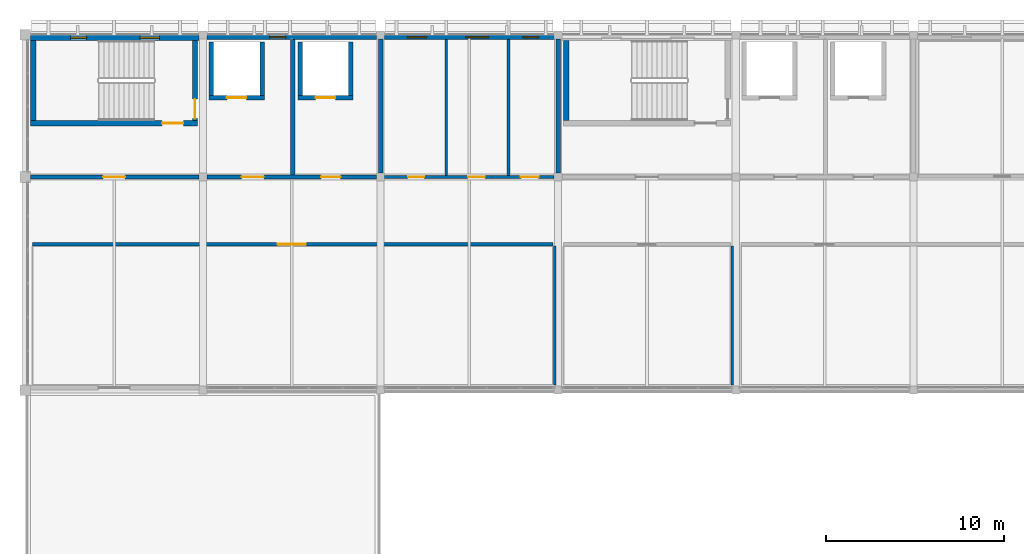
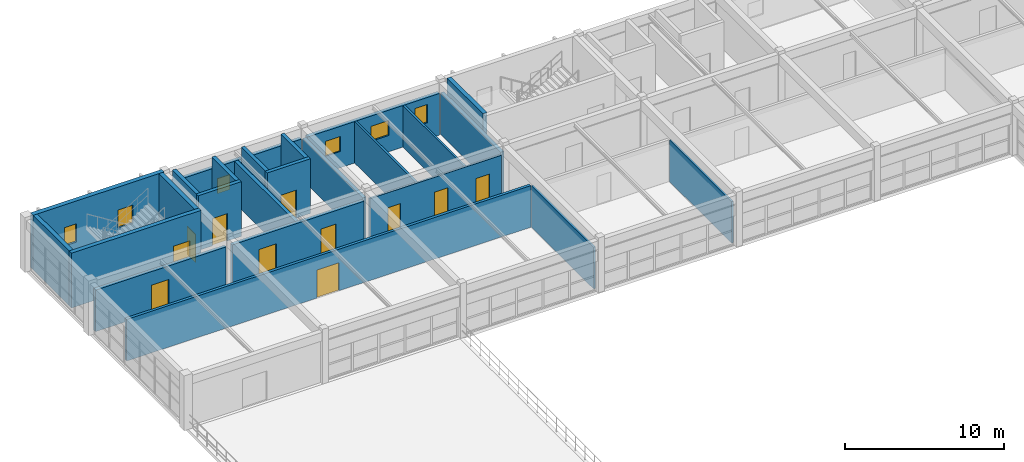
# One storey, part 15 of 21: 24 walls, 11 doors, 6 windows, 17 openings.
"""IFC4 building model written with IfcOpenShell, lengths in metres."""

from ifc_helpers import new_model, si_unit, direction, frame, frame_2d, origin, place, context, subcontext, project, spatial, rectangle, extrude, material, layer, layer_set, type_object, element, fill, save


model = new_model("IFC4")

# Units and contexts
model_context = context("Model", 3, precision=1e-05, world=origin(), true_north=direction((0.0, 1.0)))
body_context = subcontext(model_context, "Body", "Model", "MODEL_VIEW")
ifc_project = project(units=[si_unit("LENGTHUNIT", "METRE"), si_unit("AREAUNIT", "SQUARE_METRE"), si_unit("VOLUMEUNIT", "CUBIC_METRE"), si_unit("PLANEANGLEUNIT", "RADIAN"), si_unit("MASSUNIT", "GRAM", prefix="KILO")], contexts=[model_context])

# Site, building, storey
site_placement = place(None, origin())
site = spatial("IfcSite", under=ifc_project, at=site_placement, CompositionType="ELEMENT")
building_placement = place(site_placement, origin())
building = spatial("IfcBuilding", under=site, at=building_placement, Name="Kivolera Central Railway Station", CompositionType="ELEMENT")
storey_placement = place(building_placement, frame((0.0, 0.0, 22.800048828125)))
storey = spatial("IfcBuildingStorey", under=building, at=storey_placement, Name="L05", CompositionType="ELEMENT", Elevation=22.800048828125)

# Wall, opening, door
ifc_material_1 = material(Name="Swahili coral limestone", Category="masonry")
ifc_layer_1 = layer(ifc_material_1, 0.199951171875, Name="Swahili coral limestone")
ifc_layer_set_1 = layer_set([ifc_layer_1], Name="Swahili coral limestone")
wall_type_1 = type_object("IfcWallType", Name="WL-COR-200", PredefinedType="PARTITIONING", material=ifc_layer_set_1)
wall_1_placement = place(storey_placement, frame((118.39990234375, 122.219970703125, 0.0), z_axis=(0.0, 0.0, 1.0), x_axis=(1.0, 0.0, 0.0)))
wall_1 = element("IfcWall", 1, at=wall_1_placement, inside=storey, type_object=wall_type_1, Name="L05 Station Staff Canteen and Mess Cafe Corridor Wall", PredefinedType="PARTITIONING", context=body_context, shape_type="SweptSolid", body=[
    extrude(rectangle(XDim=29.300048828125, YDim=0.199951171875, at=frame_2d((14.64990234375, 0.0))), origin(), (0.0, 0.0, 1.0), 3.18798828125),
])
opening_1_placement = place(wall_1_placement, frame((13.800048828125, 0.0, 0.0)))
opening_1 = element("IfcOpeningElement", 2, at=opening_1_placement, cuts=wall_1, Name="Opening D-DB-02", PredefinedType="OPENING", context=body_context, shape_type="SweptSolid", body=[
    extrude(rectangle(XDim=1.60009765625, YDim=2.14990234375, at=frame_2d((0.800048828125, 1.074951171875))), frame((0.0, 0.10986328125, 0.0), z_axis=(0.0, -1.0, 0.0), x_axis=(1.0, 0.0, 0.0)), (0.0, 0.0, 1.0), 0.219970703125),
])
ifc_material_2 = material(Name="Anodised aluminium", Category="aluminium")
door_type_1 = type_object("IfcDoorType", Name="DR-D-DB-02", OperationType="NOTDEFINED", PredefinedType="DOOR", material=ifc_material_2)
door_1_placement = place(opening_1_placement, origin())
door_1 = element("IfcDoor", 3, at=door_1_placement, inside=storey, type_object=door_type_1, Name="L05 Station Staff Canteen and Mess Cafe Door", OperationType="DOUBLE_DOOR_SINGLE_SWING", OverallHeight=2.14990234375, OverallWidth=1.60009765625, PredefinedType="DOOR", context=body_context, shape_type="SweptSolid", body=[
    extrude(rectangle(XDim=1.60009765625, YDim=2.14990234375, at=frame_2d((0.800048828125, 1.074951171875))), frame((0.0, 0.02490234375, 0.0), z_axis=(0.0, -1.0, 0.0), x_axis=(1.0, 0.0, 0.0)), (0.0, 0.0, 1.0), 0.050048828125),
])
fill(opening_1, door_1)

ifc_material_3 = material(Name="Concrete C40/50", Category="concrete")
ifc_layer_2 = layer(ifc_material_3, 0.300048828125, Name="Concrete C40/50")
ifc_layer_set_2 = layer_set([ifc_layer_2], Name="Concrete C40/50")
wall_type_2 = type_object("IfcWallType", Name="WL-CORE-300", PredefinedType="SHEAR", material=ifc_layer_set_2)
wall_2_placement = place(storey_placement, frame((127.699951171875, 129.030029296875, 0.0), z_axis=(0.0, 0.0, 1.0), x_axis=(-1.0, 0.0, 0.0)))
wall_2 = element("IfcWall", 4, at=wall_2_placement, inside=storey, type_object=wall_type_2, Name="L05 ST1 Core Right Shear Wall", PredefinedType="SHEAR", context=body_context, shape_type="SweptSolid", body=[
    extrude(rectangle(XDim=9.39990234375, YDim=0.300048828125, at=frame_2d((4.699951171875, 0.0))), origin(), (0.0, 0.0, 1.0), 4.199951171875),
])
opening_2_placement = place(wall_2_placement, frame((0.800048828125, 0.0, 0.0)))
opening_2 = element("IfcOpeningElement", 5, at=opening_2_placement, cuts=wall_2, Name="Opening D-STAIR-1200", PredefinedType="OPENING", context=body_context, shape_type="SweptSolid", body=[
    extrude(rectangle(XDim=1.199951171875, YDim=2.14990234375, at=frame_2d((0.60009765625, 1.074951171875))), frame((0.0, 0.159912109375, 0.0), z_axis=(0.0, -1.0, 0.0), x_axis=(1.0, 0.0, 0.0)), (0.0, 0.0, 1.0), 0.320068359375),
])
ifc_material_4 = material(Name="Hardwood mvule timber", Category="wood")
door_type_2 = type_object("IfcDoorType", Name="DR-D-STAIR-1200", OperationType="NOTDEFINED", PredefinedType="DOOR", material=ifc_material_4)
door_2_placement = place(opening_2_placement, origin())
door_2 = element("IfcDoor", 6, at=door_2_placement, inside=storey, type_object=door_type_2, Name="L05 ST1 Vestibule Fire Door", OperationType="SINGLE_SWING_LEFT", OverallHeight=2.14990234375, OverallWidth=1.199951171875, PredefinedType="DOOR", context=body_context, shape_type="SweptSolid", body=[
    extrude(rectangle(XDim=1.199951171875, YDim=2.14990234375, at=frame_2d((0.60009765625, 1.074951171875))), frame((0.0, 0.02490234375, 0.0), z_axis=(0.0, -1.0, 0.0), x_axis=(1.0, 0.0, 0.0)), (0.0, 0.0, 1.0), 0.050048828125),
])
fill(opening_2, door_2)

wall_3_placement = place(storey_placement, frame((127.550048828125, 133.679931640625, 0.0), z_axis=(0.0, 0.0, 1.0), x_axis=(0.0, -1.0, 0.0)))
wall_3 = element("IfcWall", 7, at=wall_3_placement, inside=storey, type_object=wall_type_2, Name="L05 ST1 Core Near Shear Wall", PredefinedType="SHEAR", context=body_context, shape_type="SweptSolid", body=[
    extrude(rectangle(XDim=4.5, YDim=0.300048828125, at=frame_2d((2.25, 0.0))), origin(), (0.0, 0.0, 1.0), 4.199951171875),
])
opening_3_placement = place(wall_3_placement, frame((3.300048828125, 0.0, 0.0)))
opening_3 = element("IfcOpeningElement", 8, at=opening_3_placement, cuts=wall_3, Name="Opening D-FFL-1100", PredefinedType="OPENING", context=body_context, shape_type="SweptSolid", body=[
    extrude(rectangle(XDim=1.10009765625, YDim=2.14990234375, at=frame_2d((0.550048828125, 1.074951171875))), frame((0.0, 0.159912109375, 0.0), z_axis=(0.0, -1.0, 0.0), x_axis=(1.0, 0.0, 0.0)), (0.0, 0.0, 1.0), 0.320068359375),
])
door_type_3 = type_object("IfcDoorType", Name="DR-D-FFL-1100", OperationType="NOTDEFINED", PredefinedType="DOOR", material=ifc_material_4)
door_3_placement = place(opening_3_placement, origin())
door_3 = element("IfcDoor", 9, at=door_3_placement, inside=storey, type_object=door_type_3, Name="L05 Firefighting Lobby to ST1 Fire Door", OperationType="SINGLE_SWING_RIGHT", OverallHeight=2.14990234375, OverallWidth=1.10009765625, PredefinedType="DOOR", context=body_context, shape_type="SweptSolid", body=[
    extrude(rectangle(XDim=1.10009765625, YDim=2.14990234375, at=frame_2d((0.550048828125, 1.074951171875))), frame((0.0, 0.02490234375, 0.0), z_axis=(0.0, -1.0, 0.0), x_axis=(1.0, 0.0, 0.0)), (0.0, 0.0, 1.0), 0.050048828125),
])
fill(opening_3, door_3)

# Walls
for number, where, z_axis, x_axis, name in (
    (10, (118.449951171875, 129.179931640625, 0.0), (0.0, 0.0, 1.0), (0.0, 1.0, 0.0), "L05 ST1 Core Far Shear Wall"),
    (11, (148.449951171875, 129.179931640625, 0.0), (0.0, 0.0, 1.0), (0.0, 1.0, 0.0), "L05 ST2 Core Far Shear Wall"),
):
    element("IfcWall", number, at=place(storey_placement, frame(where, z_axis=z_axis, x_axis=x_axis)), inside=storey, type_object=wall_type_2, Name=name, PredefinedType="SHEAR", context=body_context, shape_type="SweptSolid", body=[
        extrude(rectangle(XDim=4.5, YDim=0.300048828125, at=frame_2d((2.25, 0.0))), origin(), (0.0, 0.0, 1.0), 4.199951171875),
    ])

# Wall, openings, windows
ifc_layer_3 = layer(ifc_material_3, 0.320068359375, Name="Concrete C40/50")
ifc_layer_set_3 = layer_set([ifc_layer_3], Name="Concrete C40/50")
wall_type_3 = type_object("IfcWallType", Name="WL-CORE-EXT-320", PredefinedType="SHEAR", material=ifc_layer_set_3)
wall_4_placement = place(storey_placement, frame((118.294921875, 133.840087890625, 0.0), z_axis=(0.0, 0.0, 1.0), x_axis=(1.0, 0.0, 0.0)))
wall_4 = element("IfcWall", 12, at=wall_4_placement, inside=storey, type_object=wall_type_3, Name="L05 North Street Facade Wall Bay 1", PredefinedType="SHEAR", context=body_context, shape_type="SweptSolid", body=[
    extrude(rectangle(XDim=9.485107421875, YDim=0.320068359375, at=frame_2d((4.74267578125, 0.0))), origin(), (0.0, 0.0, 1.0), 4.199951171875),
])
opening_4_placement = place(wall_4_placement, frame((2.2548828125, 0.0, 1.050048828125)))
opening_4 = element("IfcOpeningElement", 13, at=opening_4_placement, cuts=wall_4, Name="Opening WN-13", PredefinedType="OPENING", context=body_context, shape_type="SweptSolid", body=[
    extrude(rectangle(XDim=0.89990234375, YDim=1.39990234375, at=frame_2d((0.449951171875, 0.699951171875))), frame((0.0, 0.169921875, 0.0), z_axis=(0.0, -1.0, 0.0), x_axis=(1.0, 0.0, 0.0)), (0.0, 0.0, 1.0), 0.340087890625),
])
opening_5_placement = place(wall_4_placement, frame((6.155029296875, 0.0, 1.050048828125)))
opening_5 = element("IfcOpeningElement", 14, at=opening_5_placement, cuts=wall_4, Name="Opening WN-14", PredefinedType="OPENING", context=body_context, shape_type="SweptSolid", body=[
    extrude(rectangle(XDim=1.10009765625, YDim=1.39990234375, at=frame_2d((0.550048828125, 0.699951171875))), frame((0.0, 0.169921875, 0.0), z_axis=(0.0, -1.0, 0.0), x_axis=(1.0, 0.0, 0.0)), (0.0, 0.0, 1.0), 0.340087890625),
])
ifc_material_5 = material(Name="Double low-E laminated glass", Category="glass")
window_type_1 = type_object("IfcWindowType", Name="WIN-WN-13", PartitioningType="SINGLE_PANEL", PredefinedType="WINDOW", material=ifc_material_5)
window_1_placement = place(opening_4_placement, origin())
window_1 = element("IfcWindow", 15, at=window_1_placement, inside=storey, type_object=window_type_1, Name="L05 North Street Window Bay 1.1", OverallHeight=1.39990234375, OverallWidth=0.89990234375, PartitioningType="SINGLE_PANEL", PredefinedType="WINDOW", context=body_context, shape_type="SweptSolid", body=[
    extrude(rectangle(XDim=0.89990234375, YDim=1.39990234375, at=frame_2d((0.449951171875, 0.699951171875))), frame((0.0, 0.030029296875, 0.0), z_axis=(0.0, -1.0, 0.0), x_axis=(1.0, 0.0, 0.0)), (0.0, 0.0, 1.0), 0.06005859375),
])
fill(opening_4, window_1)
window_type_2 = type_object("IfcWindowType", Name="WIN-WN-14", PartitioningType="SINGLE_PANEL", PredefinedType="WINDOW", material=ifc_material_5)
window_2_placement = place(opening_5_placement, origin())
window_2 = element("IfcWindow", 16, at=window_2_placement, inside=storey, type_object=window_type_2, Name="L05 North Street Window Bay 1.2", OverallHeight=1.39990234375, OverallWidth=1.10009765625, PartitioningType="SINGLE_PANEL", PredefinedType="WINDOW", context=body_context, shape_type="SweptSolid", body=[
    extrude(rectangle(XDim=1.10009765625, YDim=1.39990234375, at=frame_2d((0.550048828125, 0.699951171875))), frame((0.0, 0.030029296875, 0.0), z_axis=(0.0, -1.0, 0.0), x_axis=(1.0, 0.0, 0.0)), (0.0, 0.0, 1.0), 0.06005859375),
])
fill(opening_5, window_2)

# Wall, opening, window
ifc_layer_4 = layer(ifc_material_1, 0.27001953125, Name="Swahili coral limestone")
ifc_layer_set_4 = layer_set([ifc_layer_4], Name="Swahili coral limestone")
wall_type_4 = type_object("IfcWallType", Name="WL-EXT-CORAL-270", PredefinedType="SOLIDWALL", material=ifc_layer_set_4)
wall_5_placement = place(storey_placement, frame((128.219970703125, 133.864990234375, 0.0), z_axis=(0.0, 0.0, 1.0), x_axis=(1.0, 0.0, 0.0)))
wall_5 = element("IfcWall", 17, at=wall_5_placement, inside=storey, type_object=wall_type_4, Name="L05 North Street Facade Wall Bay 2", PredefinedType="SOLIDWALL", context=body_context, shape_type="SweptSolid", body=[
    extrude(rectangle(XDim=9.56005859375, YDim=0.27001953125, at=frame_2d((4.780029296875, 0.0))), origin(), (0.0, 0.0, 1.0), 3.18798828125),
])
opening_6_placement = place(wall_5_placement, frame((3.530029296875, 0.0, 1.050048828125)))
opening_6 = element("IfcOpeningElement", 18, at=opening_6_placement, cuts=wall_5, Name="Opening WN-01", PredefinedType="OPENING", context=body_context, shape_type="SweptSolid", body=[
    extrude(rectangle(XDim=0.89990234375, YDim=1.14990234375, at=frame_2d((0.449951171875, 0.574951171875))), frame((0.0, 0.14501953125, 0.0), z_axis=(0.0, -1.0, 0.0), x_axis=(1.0, 0.0, 0.0)), (0.0, 0.0, 1.0), 0.2900390625),
])
window_type_3 = type_object("IfcWindowType", Name="WIN-WN-01", PartitioningType="SINGLE_PANEL", PredefinedType="WINDOW", material=ifc_material_5)
window_3_placement = place(opening_6_placement, origin())
window_3 = element("IfcWindow", 19, at=window_3_placement, inside=storey, type_object=window_type_3, Name="L05 North Street Window Bay 2.1", OverallHeight=1.14990234375, OverallWidth=0.89990234375, PartitioningType="SINGLE_PANEL", PredefinedType="WINDOW", context=body_context, shape_type="SweptSolid", body=[
    extrude(rectangle(XDim=0.89990234375, YDim=1.14990234375, at=frame_2d((0.449951171875, 0.574951171875))), frame((0.0, 0.030029296875, 0.0), z_axis=(0.0, -1.0, 0.0), x_axis=(1.0, 0.0, 0.0)), (0.0, 0.0, 1.0), 0.06005859375),
])
fill(opening_6, window_3)

# Wall, openings, windows
wall_6_placement = place(storey_placement, frame((138.219970703125, 133.864990234375, 0.0), z_axis=(0.0, 0.0, 1.0), x_axis=(1.0, 0.0, 0.0)))
wall_6 = element("IfcWall", 20, at=wall_6_placement, inside=storey, type_object=wall_type_4, Name="L05 North Street Facade Wall Bay 3", PredefinedType="SOLIDWALL", context=body_context, shape_type="SweptSolid", body=[
    extrude(rectangle(XDim=9.56005859375, YDim=0.27001953125, at=frame_2d((4.780029296875, 0.0))), origin(), (0.0, 0.0, 1.0), 3.18798828125),
])
opening_7_placement = place(wall_6_placement, frame((1.280029296875, 0.0, 1.25)))
opening_7 = element("IfcOpeningElement", 21, at=opening_7_placement, cuts=wall_6, Name="Opening WN-02", PredefinedType="OPENING", context=body_context, shape_type="SweptSolid", body=[
    extrude(rectangle(XDim=1.10009765625, YDim=1.14990234375, at=frame_2d((0.550048828125, 0.574951171875))), frame((0.0, 0.14501953125, 0.0), z_axis=(0.0, -1.0, 0.0), x_axis=(1.0, 0.0, 0.0)), (0.0, 0.0, 1.0), 0.2900390625),
])
opening_8_placement = place(wall_6_placement, frame((4.580078125, 0.0, 1.25)))
opening_8 = element("IfcOpeningElement", 22, at=opening_8_placement, cuts=wall_6, Name="Opening WN-03", PredefinedType="OPENING", context=body_context, shape_type="SweptSolid", body=[
    extrude(rectangle(XDim=1.300048828125, YDim=1.14990234375, at=frame_2d((0.64990234375, 0.574951171875))), frame((0.0, 0.14501953125, 0.0), z_axis=(0.0, -1.0, 0.0), x_axis=(1.0, 0.0, 0.0)), (0.0, 0.0, 1.0), 0.2900390625),
])
opening_9_placement = place(wall_6_placement, frame((7.780029296875, 0.0, 1.25)))
opening_9 = element("IfcOpeningElement", 23, at=opening_9_placement, cuts=wall_6, Name="Opening WN-13", PredefinedType="OPENING", context=body_context, shape_type="SweptSolid", body=[
    extrude(rectangle(XDim=0.89990234375, YDim=1.39990234375, at=frame_2d((0.449951171875, 0.699951171875))), frame((0.0, 0.14501953125, 0.0), z_axis=(0.0, -1.0, 0.0), x_axis=(1.0, 0.0, 0.0)), (0.0, 0.0, 1.0), 0.2900390625),
])
window_type_4 = type_object("IfcWindowType", Name="WIN-WN-02", PartitioningType="SINGLE_PANEL", PredefinedType="WINDOW", material=ifc_material_5)
window_4_placement = place(opening_7_placement, origin())
window_4 = element("IfcWindow", 24, at=window_4_placement, inside=storey, type_object=window_type_4, Name="L05 North Street Window Bay 3.1", OverallHeight=1.14990234375, OverallWidth=1.10009765625, PartitioningType="SINGLE_PANEL", PredefinedType="WINDOW", context=body_context, shape_type="SweptSolid", body=[
    extrude(rectangle(XDim=1.10009765625, YDim=1.14990234375, at=frame_2d((0.550048828125, 0.574951171875))), frame((0.0, 0.030029296875, 0.0), z_axis=(0.0, -1.0, 0.0), x_axis=(1.0, 0.0, 0.0)), (0.0, 0.0, 1.0), 0.06005859375),
])
fill(opening_7, window_4)
window_type_5 = type_object("IfcWindowType", Name="WIN-WN-03", PartitioningType="SINGLE_PANEL", PredefinedType="WINDOW", material=ifc_material_5)
window_5_placement = place(opening_8_placement, origin())
window_5 = element("IfcWindow", 25, at=window_5_placement, inside=storey, type_object=window_type_5, Name="L05 North Street Window Bay 3.2", OverallHeight=1.14990234375, OverallWidth=1.300048828125, PartitioningType="SINGLE_PANEL", PredefinedType="WINDOW", context=body_context, shape_type="SweptSolid", body=[
    extrude(rectangle(XDim=1.300048828125, YDim=1.14990234375, at=frame_2d((0.64990234375, 0.574951171875))), frame((0.0, 0.030029296875, 0.0), z_axis=(0.0, -1.0, 0.0), x_axis=(1.0, 0.0, 0.0)), (0.0, 0.0, 1.0), 0.06005859375),
])
fill(opening_8, window_5)
window_6_placement = place(opening_9_placement, origin())
window_6 = element("IfcWindow", 26, at=window_6_placement, inside=storey, type_object=window_type_1, Name="L05 North Street Window Bay 3.3", OverallHeight=1.39990234375, OverallWidth=0.89990234375, PartitioningType="SINGLE_PANEL", PredefinedType="WINDOW", context=body_context, shape_type="SweptSolid", body=[
    extrude(rectangle(XDim=0.89990234375, YDim=1.39990234375, at=frame_2d((0.449951171875, 0.699951171875))), frame((0.0, 0.030029296875, 0.0), z_axis=(0.0, -1.0, 0.0), x_axis=(1.0, 0.0, 0.0)), (0.0, 0.0, 1.0), 0.06005859375),
])
fill(opening_9, window_6)

# Wall, opening, door
ifc_layer_5 = layer(ifc_material_3, 0.25, Name="Concrete C40/50")
ifc_layer_set_5 = layer_set([ifc_layer_5], Name="Concrete C40/50")
wall_type_5 = type_object("IfcWallType", Name="WL-FFL-250", PredefinedType="PARTITIONING", material=ifc_layer_set_5)
wall_7_placement = place(storey_placement, frame((118.304931640625, 126.0, 0.0), z_axis=(0.0, 0.0, 1.0), x_axis=(1.0, 0.0, 0.0)))
wall_7 = element("IfcWall", 27, at=wall_7_placement, inside=storey, type_object=wall_type_5, Name="L05 North Core Corridor Wall 118", PredefinedType="PARTITIONING", context=body_context, shape_type="SweptSolid", body=[
    extrude(rectangle(XDim=9.465087890625, YDim=0.25, at=frame_2d((4.732421875, 0.0))), origin(), (0.0, 0.0, 1.0), 3.18798828125),
])
opening_10_placement = place(wall_7_placement, frame((4.070068359375, 0.0, 0.0)))
opening_10 = element("IfcOpeningElement", 28, at=opening_10_placement, cuts=wall_7, Name="Opening D-FFL-1250", PredefinedType="OPENING", context=body_context, shape_type="SweptSolid", body=[
    extrude(rectangle(XDim=1.25, YDim=2.14990234375, at=frame_2d((0.625, 1.074951171875))), frame((0.0, 0.135009765625, 0.0), z_axis=(0.0, -1.0, 0.0), x_axis=(1.0, 0.0, 0.0)), (0.0, 0.0, 1.0), 0.27001953125),
])
door_type_4 = type_object("IfcDoorType", Name="DR-D-FFL-1250", OperationType="NOTDEFINED", PredefinedType="DOOR", material=ifc_material_4)
door_4_placement = place(opening_10_placement, origin())
door_4 = element("IfcDoor", 29, at=door_4_placement, inside=storey, type_object=door_type_4, Name="L05 ST1 Vestibule Corridor Door", OperationType="SINGLE_SWING_RIGHT", OverallHeight=2.14990234375, OverallWidth=1.25, PredefinedType="DOOR", context=body_context, shape_type="SweptSolid", body=[
    extrude(rectangle(XDim=1.25, YDim=2.14990234375, at=frame_2d((0.625, 1.074951171875))), frame((0.0, 0.02490234375, 0.0), z_axis=(0.0, -1.0, 0.0), x_axis=(1.0, 0.0, 0.0)), (0.0, 0.0, 1.0), 0.050048828125),
])
fill(opening_10, door_4)

# Wall, openings, doors
wall_8_placement = place(storey_placement, frame((128.22998046875, 126.0, 0.0), z_axis=(0.0, 0.0, 1.0), x_axis=(1.0, 0.0, 0.0)))
wall_8 = element("IfcWall", 30, at=wall_8_placement, inside=storey, type_object=wall_type_5, Name="L05 North Core Corridor Wall 128", PredefinedType="PARTITIONING", context=body_context, shape_type="SweptSolid", body=[
    extrude(rectangle(XDim=9.5400390625, YDim=0.25, at=frame_2d((4.77001953125, 0.0))), origin(), (0.0, 0.0, 1.0), 3.18798828125),
])
opening_11_placement = place(wall_8_placement, frame((1.945068359375, 0.0, 0.0)))
opening_11 = element("IfcOpeningElement", 31, at=opening_11_placement, cuts=wall_8, Name="Opening D-FFL-1250", PredefinedType="OPENING", context=body_context, shape_type="SweptSolid", body=[
    extrude(rectangle(XDim=1.25, YDim=2.14990234375, at=frame_2d((0.625, 1.074951171875))), frame((0.0, 0.135009765625, 0.0), z_axis=(0.0, -1.0, 0.0), x_axis=(1.0, 0.0, 0.0)), (0.0, 0.0, 1.0), 0.27001953125),
])
opening_12_placement = place(wall_8_placement, frame((6.419921875, 0.0, 0.0)))
opening_12 = element("IfcOpeningElement", 32, at=opening_12_placement, cuts=wall_8, Name="Opening D-FFL-1100", PredefinedType="OPENING", context=body_context, shape_type="SweptSolid", body=[
    extrude(rectangle(XDim=1.10009765625, YDim=2.14990234375, at=frame_2d((0.550048828125, 1.074951171875))), frame((0.0, 0.135009765625, 0.0), z_axis=(0.0, -1.0, 0.0), x_axis=(1.0, 0.0, 0.0)), (0.0, 0.0, 1.0), 0.27001953125),
])
door_5_placement = place(opening_12_placement, origin())
door_5 = element("IfcDoor", 33, at=door_5_placement, inside=storey, type_object=door_type_3, Name="L05 PL1 Lift Lobby Door", OperationType="SINGLE_SWING_RIGHT", OverallHeight=2.14990234375, OverallWidth=1.10009765625, PredefinedType="DOOR", context=body_context, shape_type="SweptSolid", body=[
    extrude(rectangle(XDim=1.10009765625, YDim=2.14990234375, at=frame_2d((0.550048828125, 1.074951171875))), frame((0.0, 0.02490234375, 0.0), z_axis=(0.0, -1.0, 0.0), x_axis=(1.0, 0.0, 0.0)), (0.0, 0.0, 1.0), 0.050048828125),
])
fill(opening_12, door_5)
door_6_placement = place(opening_11_placement, origin())
door_6 = element("IfcDoor", 34, at=door_6_placement, inside=storey, type_object=door_type_4, Name="L05 FL1 Firefighting Lobby Corridor Fire Door", OperationType="SINGLE_SWING_LEFT", OverallHeight=2.14990234375, OverallWidth=1.25, PredefinedType="DOOR", context=body_context, shape_type="SweptSolid", body=[
    extrude(rectangle(XDim=1.25, YDim=2.14990234375, at=frame_2d((0.625, 1.074951171875))), frame((0.0, 0.02490234375, 0.0), z_axis=(0.0, -1.0, 0.0), x_axis=(1.0, 0.0, 0.0)), (0.0, 0.0, 1.0), 0.050048828125),
])
fill(opening_11, door_6)

# Walls
wall_9_placement = place(storey_placement, frame((133.050048828125, 126.125, 0.0), z_axis=(0.0, 0.0, 1.0), x_axis=(0.0, 1.0, 0.0)))
element("IfcWall", 35, at=wall_9_placement, inside=storey, type_object=wall_type_5, Name="L05 North Core Partition FFL1-DIV", PredefinedType="PARTITIONING", context=body_context, shape_type="SweptSolid", body=[
    extrude(rectangle(XDim=7.60498046875, YDim=0.25, at=frame_2d((3.802490234375, 0.0))), origin(), (0.0, 0.0, 1.0), 3.18798828125),
])
for number, where, z_axis, x_axis, name in (
    (36, (138.0, 126.22998046875, 0.0), (0.0, 0.0, 1.0), (0.0, 1.0, 0.0), "L05 North Core Partition GRID-138"),
    (37, (148.0, 126.22998046875, 0.0), (0.0, 0.0, 1.0), (0.0, 1.0, 0.0), "L05 North Core Partition GRID-148"),
):
    element("IfcWall", number, at=place(storey_placement, frame(where, z_axis=z_axis, x_axis=x_axis)), inside=storey, type_object=wall_type_5, Name=name, PredefinedType="PARTITIONING", context=body_context, shape_type="SweptSolid", body=[
        extrude(rectangle(XDim=7.5400390625, YDim=0.25, at=frame_2d((3.77001953125, 0.0))), origin(), (0.0, 0.0, 1.0), 3.18798828125),
    ])
ifc_material_6 = material(Name="Gypsum plasterboard steel-stud partition")
ifc_layer_6 = layer(ifc_material_6, 0.135009765625, Name="Gypsum plasterboard steel-stud partition")
ifc_layer_set_6 = layer_set([ifc_layer_6], Name="Gypsum plasterboard steel-stud partition")
wall_type_6 = type_object("IfcWallType", Name="WL-PRT-135", PredefinedType="PARTITIONING", material=ifc_layer_set_6)
wall_10_placement = place(storey_placement, frame((157.800048828125, 114.300048828125, 0.0), z_axis=(0.0, 0.0, 1.0), x_axis=(0.0, 1.0, 0.0)))
element("IfcWall", 38, at=wall_10_placement, inside=storey, type_object=wall_type_6, Name="L05 Staff Canteen Culinary Studio Partition Wall", PredefinedType="PARTITIONING", context=body_context, shape_type="SweptSolid", body=[
    extrude(rectangle(XDim=7.800048828125, YDim=0.135009765625, at=frame_2d((3.89990234375, 0.0))), origin(), (0.0, 0.0, 1.0), 3.18798828125),
])

# Wall, openings, doors
ifc_layer_7 = layer(ifc_material_6, 0.14990234375, Name="Gypsum plasterboard steel-stud partition")
ifc_layer_set_7 = layer_set([ifc_layer_7], Name="Gypsum plasterboard steel-stud partition")
wall_type_7 = type_object("IfcWallType", Name="WL-PRT-150", PredefinedType="PARTITIONING", material=ifc_layer_set_7)
wall_11_placement = place(storey_placement, frame((138.22998046875, 126.0, 0.0), z_axis=(0.0, 0.0, 1.0), x_axis=(1.0, 0.0, 0.0)))
wall_11 = element("IfcWall", 39, at=wall_11_placement, inside=storey, type_object=wall_type_7, Name="L05 North Core Corridor Wall 138", PredefinedType="PARTITIONING", context=body_context, shape_type="SweptSolid", body=[
    extrude(rectangle(XDim=9.5400390625, YDim=0.14990234375, at=frame_2d((4.77001953125, 0.0))), origin(), (0.0, 0.0, 1.0), 3.18798828125),
])
opening_13_placement = place(wall_11_placement, frame((1.320068359375, 0.0, 0.0)))
opening_13 = element("IfcOpeningElement", 40, at=opening_13_placement, cuts=wall_11, Name="Opening D-WC-0900", PredefinedType="OPENING", context=body_context, shape_type="SweptSolid", body=[
    extrude(rectangle(XDim=0.89990234375, YDim=2.050048828125, at=frame_2d((0.449951171875, 1.02490234375))), frame((0.0, 0.0849609375, 0.0), z_axis=(0.0, -1.0, 0.0), x_axis=(1.0, 0.0, 0.0)), (0.0, 0.0, 1.0), 0.169921875),
])
opening_14_placement = place(wall_11_placement, frame((4.695068359375, 0.0, 0.0)))
opening_14 = element("IfcOpeningElement", 41, at=opening_14_placement, cuts=wall_11, Name="Opening D-WC-0950", PredefinedType="OPENING", context=body_context, shape_type="SweptSolid", body=[
    extrude(rectangle(XDim=0.949951171875, YDim=2.050048828125, at=frame_2d((0.47509765625, 1.02490234375))), frame((0.0, 0.0849609375, 0.0), z_axis=(0.0, -1.0, 0.0), x_axis=(1.0, 0.0, 0.0)), (0.0, 0.0, 1.0), 0.169921875),
])
opening_15_placement = place(wall_11_placement, frame((7.669921875, 0.0, 0.0)))
opening_15 = element("IfcOpeningElement", 42, at=opening_15_placement, cuts=wall_11, Name="Opening D-ACC-1000", PredefinedType="OPENING", context=body_context, shape_type="SweptSolid", body=[
    extrude(rectangle(XDim=1.0, YDim=2.050048828125, at=frame_2d((0.5, 1.02490234375))), frame((0.0, 0.0849609375, 0.0), z_axis=(0.0, -1.0, 0.0), x_axis=(1.0, 0.0, 0.0)), (0.0, 0.0, 1.0), 0.169921875),
])
door_type_5 = type_object("IfcDoorType", Name="DR-D-ACC-1000", OperationType="NOTDEFINED", PredefinedType="DOOR", material=ifc_material_4)
door_7_placement = place(opening_15_placement, origin())
door_7 = element("IfcDoor", 43, at=door_7_placement, inside=storey, type_object=door_type_5, Name="L05 Accessible Washroom Door", OperationType="SINGLE_SWING_LEFT", OverallHeight=2.050048828125, OverallWidth=1.0, PredefinedType="DOOR", context=body_context, shape_type="SweptSolid", body=[
    extrude(rectangle(XDim=1.0, YDim=2.050048828125, at=frame_2d((0.5, 1.02490234375))), frame((0.0, 0.02490234375, 0.0), z_axis=(0.0, -1.0, 0.0), x_axis=(1.0, 0.0, 0.0)), (0.0, 0.0, 1.0), 0.050048828125),
])
fill(opening_15, door_7)
door_type_6 = type_object("IfcDoorType", Name="DR-D-WC-0900", OperationType="NOTDEFINED", PredefinedType="DOOR", material=ifc_material_4)
door_8_placement = place(opening_13_placement, origin())
door_8 = element("IfcDoor", 44, at=door_8_placement, inside=storey, type_object=door_type_6, Name="L05 Male Washroom Door", OperationType="SINGLE_SWING_LEFT", OverallHeight=2.050048828125, OverallWidth=0.89990234375, PredefinedType="DOOR", context=body_context, shape_type="SweptSolid", body=[
    extrude(rectangle(XDim=0.89990234375, YDim=2.050048828125, at=frame_2d((0.449951171875, 1.02490234375))), frame((0.0, 0.02490234375, 0.0), z_axis=(0.0, -1.0, 0.0), x_axis=(1.0, 0.0, 0.0)), (0.0, 0.0, 1.0), 0.050048828125),
])
fill(opening_13, door_8)
door_type_7 = type_object("IfcDoorType", Name="DR-D-WC-0950", OperationType="NOTDEFINED", PredefinedType="DOOR", material=ifc_material_4)
door_9_placement = place(opening_14_placement, origin())
door_9 = element("IfcDoor", 45, at=door_9_placement, inside=storey, type_object=door_type_7, Name="L05 Female Washroom Door", OperationType="SINGLE_SWING_RIGHT", OverallHeight=2.050048828125, OverallWidth=0.949951171875, PredefinedType="DOOR", context=body_context, shape_type="SweptSolid", body=[
    extrude(rectangle(XDim=0.949951171875, YDim=2.050048828125, at=frame_2d((0.47509765625, 1.02490234375))), frame((0.0, 0.02490234375, 0.0), z_axis=(0.0, -1.0, 0.0), x_axis=(1.0, 0.0, 0.0)), (0.0, 0.0, 1.0), 0.050048828125),
])
fill(opening_14, door_9)

# Walls
for number, where, z_axis, x_axis, name in (
    (46, (141.699951171875, 126.074951171875, 0.0), (0.0, 0.0, 1.0), (0.0, 1.0, 0.0), "L05 North Core Partition WC-DIV1"),
    (47, (145.199951171875, 126.074951171875, 0.0), (0.0, 0.0, 1.0), (0.0, 1.0, 0.0), "L05 North Core Partition WC-DIV2"),
):
    element("IfcWall", number, at=place(storey_placement, frame(where, z_axis=z_axis, x_axis=x_axis)), inside=storey, type_object=wall_type_7, Name=name, PredefinedType="PARTITIONING", context=body_context, shape_type="SweptSolid", body=[
        extrude(rectangle(XDim=7.655029296875, YDim=0.14990234375, at=frame_2d((3.82763671875, 0.0))), origin(), (0.0, 0.0, 1.0), 3.18798828125),
    ])
wall_12_placement = place(storey_placement, frame((147.800048828125, 114.300048828125, 0.0), z_axis=(0.0, 0.0, 1.0), x_axis=(0.0, 1.0, 0.0)))
element("IfcWall", 48, at=wall_12_placement, inside=storey, type_object=wall_type_7, Name="L05 Station Staff Canteen and Mess Cafe Partition Wall", PredefinedType="PARTITIONING", context=body_context, shape_type="SweptSolid", body=[
    extrude(rectangle(XDim=7.800048828125, YDim=0.14990234375, at=frame_2d((3.89990234375, 0.0))), origin(), (0.0, 0.0, 1.0), 3.18798828125),
])

# Wall, opening, door
ifc_layer_8 = layer(ifc_material_3, 0.260009765625, Name="Concrete C40/50")
ifc_layer_set_8 = layer_set([ifc_layer_8], Name="Concrete C40/50")
wall_type_8 = type_object("IfcWallType", Name="WL-SHAFT-260", PredefinedType="SHEAR", material=ifc_layer_set_8)
wall_13_placement = place(storey_placement, frame((128.340087890625, 130.469970703125, 0.0), z_axis=(0.0, 0.0, 1.0), x_axis=(1.0, 0.0, 0.0)))
wall_13 = element("IfcWall", 49, at=wall_13_placement, inside=storey, type_object=wall_type_8, Name="L05 Lift FL1 Front Shaft Wall", PredefinedType="SHEAR", context=body_context, shape_type="SweptSolid", body=[
    extrude(rectangle(XDim=3.119873046875, YDim=0.260009765625, at=frame_2d((1.56005859375, 0.0))), origin(), (0.0, 0.0, 1.0), 4.199951171875),
])
opening_16_placement = place(wall_13_placement, frame((1.010009765625, 0.0, 0.0)))
opening_16 = element("IfcOpeningElement", 50, at=opening_16_placement, cuts=wall_13, Name="Opening LD-FFL-1100", PredefinedType="OPENING", context=body_context, shape_type="SweptSolid", body=[
    extrude(rectangle(XDim=1.10009765625, YDim=2.10009765625, at=frame_2d((0.550048828125, 1.050048828125))), frame((0.0, 0.139892578125, 0.0), z_axis=(0.0, -1.0, 0.0), x_axis=(1.0, 0.0, 0.0)), (0.0, 0.0, 1.0), 0.280029296875),
])
door_type_8 = type_object("IfcDoorType", Name="DR-LD-FFL-1100", OperationType="NOTDEFINED", PredefinedType="DOOR", material=ifc_material_2)
door_10_placement = place(opening_16_placement, origin())
door_10 = element("IfcDoor", 51, at=door_10_placement, inside=storey, type_object=door_type_8, Name="L05 Lift FL1 Sliding Landing Door", OperationType="SLIDING_TO_LEFT", OverallHeight=2.10009765625, OverallWidth=1.10009765625, PredefinedType="DOOR", context=body_context, shape_type="SweptSolid", body=[
    extrude(rectangle(XDim=1.10009765625, YDim=2.10009765625, at=frame_2d((0.550048828125, 1.050048828125))), frame((0.0, 0.02490234375, 0.0), z_axis=(0.0, -1.0, 0.0), x_axis=(1.0, 0.0, 0.0)), (0.0, 0.0, 1.0), 0.050048828125),
])
fill(opening_16, door_10)

# Walls
for number, where, z_axis, x_axis, name in (
    (52, (128.469970703125, 130.60009765625, 0.0), (0.0, 0.0, 1.0), (0.0, 1.0, 0.0), "L05 Lift FL1 West Shaft Wall"),
    (53, (131.330078125, 130.60009765625, 0.0), (0.0, 0.0, 1.0), (0.0, 1.0, 0.0), "L05 Lift FL1 East Shaft Wall"),
):
    element("IfcWall", number, at=place(storey_placement, frame(where, z_axis=z_axis, x_axis=x_axis)), inside=storey, type_object=wall_type_8, Name=name, PredefinedType="SHEAR", context=body_context, shape_type="SweptSolid", body=[
        extrude(rectangle(XDim=3.0, YDim=0.260009765625, at=frame_2d((1.5, 0.0))), origin(), (0.0, 0.0, 1.0), 4.199951171875),
    ])

# Wall, opening, door
wall_14_placement = place(storey_placement, frame((133.340087890625, 130.469970703125, 0.0), z_axis=(0.0, 0.0, 1.0), x_axis=(1.0, 0.0, 0.0)))
wall_14 = element("IfcWall", 54, at=wall_14_placement, inside=storey, type_object=wall_type_8, Name="L05 Lift PL1 Front Shaft Wall", PredefinedType="SHEAR", context=body_context, shape_type="SweptSolid", body=[
    extrude(rectangle(XDim=3.119873046875, YDim=0.260009765625, at=frame_2d((1.56005859375, 0.0))), origin(), (0.0, 0.0, 1.0), 4.199951171875),
])
opening_17_placement = place(wall_14_placement, frame((1.010009765625, 0.0, 0.0)))
opening_17 = element("IfcOpeningElement", 55, at=opening_17_placement, cuts=wall_14, Name="Opening LD-PAX-1100", PredefinedType="OPENING", context=body_context, shape_type="SweptSolid", body=[
    extrude(rectangle(XDim=1.10009765625, YDim=2.14990234375, at=frame_2d((0.550048828125, 1.074951171875))), frame((0.0, 0.139892578125, 0.0), z_axis=(0.0, -1.0, 0.0), x_axis=(1.0, 0.0, 0.0)), (0.0, 0.0, 1.0), 0.280029296875),
])
door_type_9 = type_object("IfcDoorType", Name="DR-LD-PAX-1100", OperationType="NOTDEFINED", PredefinedType="DOOR", material=ifc_material_2)
door_11_placement = place(opening_17_placement, origin())
door_11 = element("IfcDoor", 56, at=door_11_placement, inside=storey, type_object=door_type_9, Name="L05 Lift PL1 Sliding Landing Door", OperationType="SLIDING_TO_LEFT", OverallHeight=2.14990234375, OverallWidth=1.10009765625, PredefinedType="DOOR", context=body_context, shape_type="SweptSolid", body=[
    extrude(rectangle(XDim=1.10009765625, YDim=2.14990234375, at=frame_2d((0.550048828125, 1.074951171875))), frame((0.0, 0.02490234375, 0.0), z_axis=(0.0, -1.0, 0.0), x_axis=(1.0, 0.0, 0.0)), (0.0, 0.0, 1.0), 0.050048828125),
])
fill(opening_17, door_11)

# Walls
for number, where, z_axis, x_axis, name in (
    (57, (133.469970703125, 130.60009765625, 0.0), (0.0, 0.0, 1.0), (0.0, 1.0, 0.0), "L05 Lift PL1 West Shaft Wall"),
    (58, (136.330078125, 130.60009765625, 0.0), (0.0, 0.0, 1.0), (0.0, 1.0, 0.0), "L05 Lift PL1 East Shaft Wall"),
):
    element("IfcWall", number, at=place(storey_placement, frame(where, z_axis=z_axis, x_axis=x_axis)), inside=storey, type_object=wall_type_8, Name=name, PredefinedType="SHEAR", context=body_context, shape_type="SweptSolid", body=[
        extrude(rectangle(XDim=3.0, YDim=0.260009765625, at=frame_2d((1.5, 0.0))), origin(), (0.0, 0.0, 1.0), 4.199951171875),
    ])

save(model, "model.ifc")
